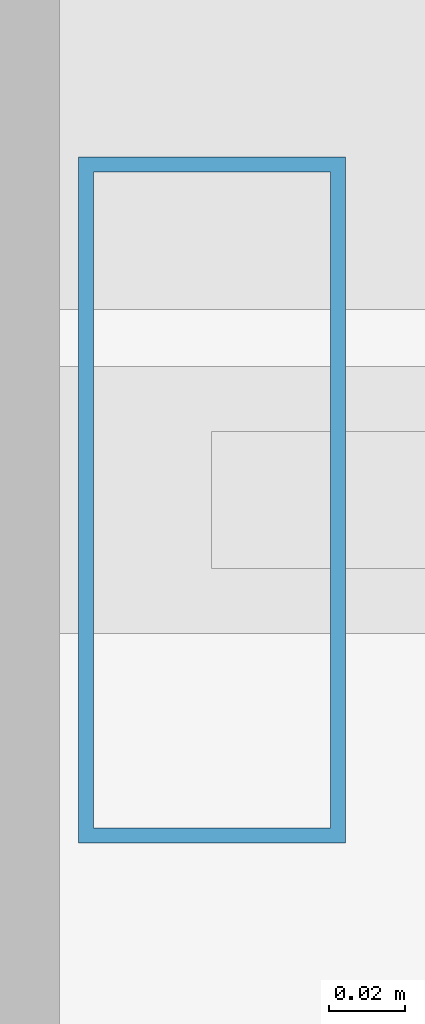
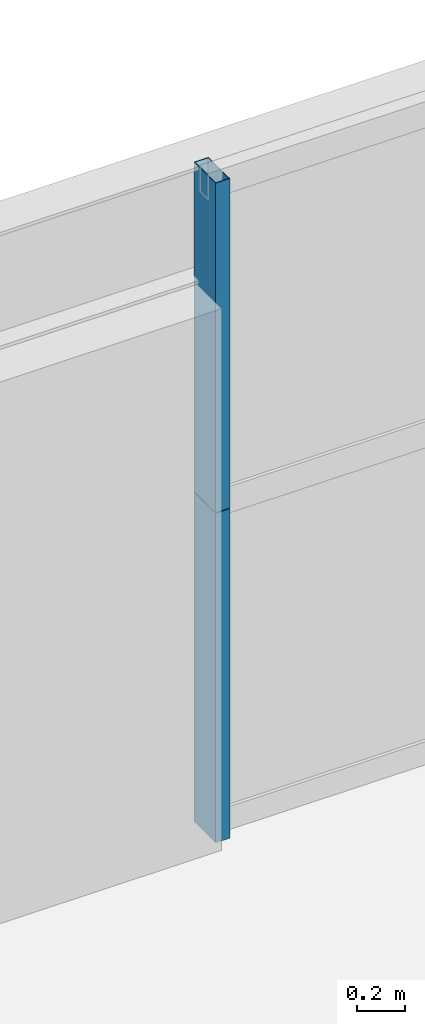
# One storey, part 26 of 43: 2 members, 1 element without a shape of its own.
"""IFC4 building model written with IfcOpenShell, lengths in metres."""

from ifc_helpers import new_model, si_unit, direction, frame, origin, origin_2d, place, context, subcontext, project, spatial, hollow_rectangle, extrude, source, transform, mapped, material, layer, layer_set, material_profile, profile_set, type_object, element, aggregate, save


model = new_model("IFC4")

# Units and contexts
model_context = context("Model", 3, precision=1e-05, world=origin(), true_north=direction((0.0, 1.0)))
body_context = subcontext(model_context, "Body", "Model", "MODEL_VIEW")
ifc_project = project(units=[si_unit("LENGTHUNIT", "METRE"), si_unit("AREAUNIT", "SQUARE_METRE"), si_unit("VOLUMEUNIT", "CUBIC_METRE"), si_unit("PLANEANGLEUNIT", "RADIAN"), si_unit("MASSUNIT", "GRAM", prefix="KILO"), si_unit("THERMODYNAMICTEMPERATUREUNIT", "KELVIN"), si_unit("POWERUNIT", "WATT")], contexts=[model_context])

# Site, building, storey
site_placement = place(None, origin())
site = spatial("IfcSite", under=ifc_project, at=site_placement, CompositionType="ELEMENT")
building_placement = place(site_placement, origin())
building = spatial("IfcBuilding", under=site, at=building_placement, Name="Yuzanri Waterfront Tower", CompositionType="ELEMENT")
storey_placement = place(building_placement, frame((0.0, 0.0, 74.800048828125)))
storey = spatial("IfcBuildingStorey", under=building, at=storey_placement, Name="L19", CompositionType="ELEMENT", Elevation=74.800048828125)

# Curtain wall, members
ifc_material_1 = material(Name="Anodized Architectural Bronze", Category="metal")
ifc_layer = layer(ifc_material_1, 0.159912109375)
ifc_layer_set = layer_set([ifc_layer], Name="Anodized Architectural Bronze")
curtain_wall_type = type_object("IfcCurtainWallType", Name="Anodized Bronze Hotel Lower-Tier Recessed Unitized Curtain Wall 8100", PredefinedType="NOTDEFINED", material=ifc_layer_set)
curtain_wall_placement = place(storey_placement, origin())
curtain_wall = element("IfcCurtainWall", 1, at=curtain_wall_placement, inside=storey, type_object=curtain_wall_type, Name="L19 Curtain Wall CW-L19-NL", PredefinedType="NOTDEFINED")
ifc_material_2 = material(Name="Anodized Architectural Bronze", Category="metal")
ifc_material_profile = material_profile(ifc_material_2, hollow_rectangle(XDim=0.070068359375, YDim=0.179931640625, WallThickness=0.00390625, at=origin_2d()), Name="CWM 70x180")
ifc_profile_set = profile_set([ifc_material_profile], Name="Anodized Architectural Bronze")
member_type = type_object("IfcMemberType", Name="Anodized Bronze Standard Curtain-Wall Mullion 70x180", PredefinedType="MULLION", material=ifc_profile_set)
shared_shape = source(origin(), body_context, "Body", "SweptSolid", [
    extrude(hollow_rectangle(XDim=0.070068359375, YDim=0.179931640625, WallThickness=0.00390625, at=origin_2d()), origin(), (0.0, 0.0, 1.0), 1.68798828125),
])
member_1_placement = place(storey_placement, frame((19.2900390625, 50.75, 0.0), z_axis=(0.0, 0.0, 1.0), x_axis=(1.0, 0.0, 0.0)))
member_1 = element("IfcMember", 2, at=member_1_placement, type_object=member_type, Name="CW-L19-NL Lower Mullion 00", PredefinedType="MULLION", context=body_context, shape_type="MappedRepresentation", body=[
    mapped(shared_shape, transform((0.0, 0.0, 0.0), scale=1.0)),
])
member_2_placement = place(storey_placement, frame((19.2900390625, 50.75, 1.69189453125), z_axis=(0.0, 0.0, 1.0), x_axis=(1.0, 0.0, 0.0)))
member_2 = element("IfcMember", 3, at=member_2_placement, type_object=member_type, Name="CW-L19-NL Upper Mullion 00", PredefinedType="MULLION", context=body_context, shape_type="MappedRepresentation", body=[
    mapped(shared_shape, transform((0.0, 0.0, 0.0), scale=1.0)),
])
aggregate(curtain_wall, [member_1, member_2])

save(model, "model.ifc")
